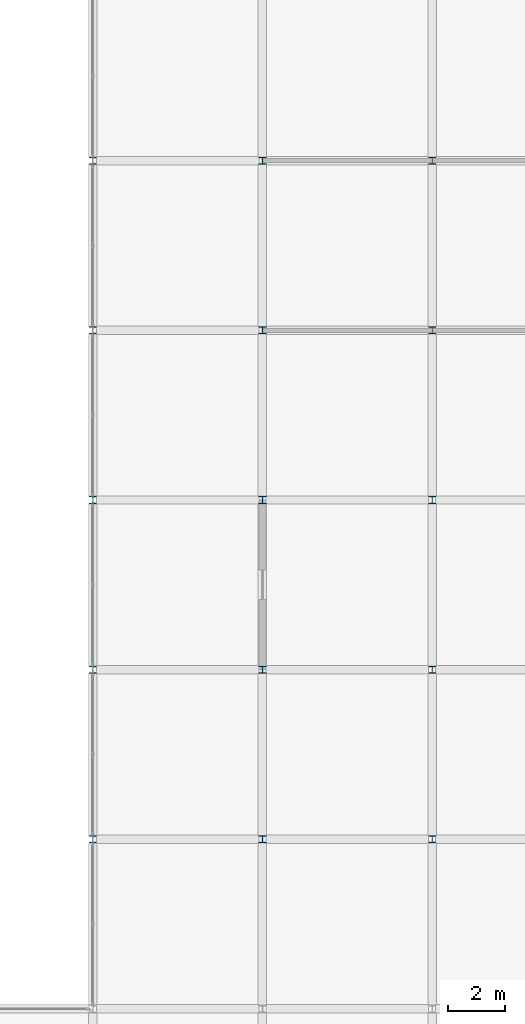
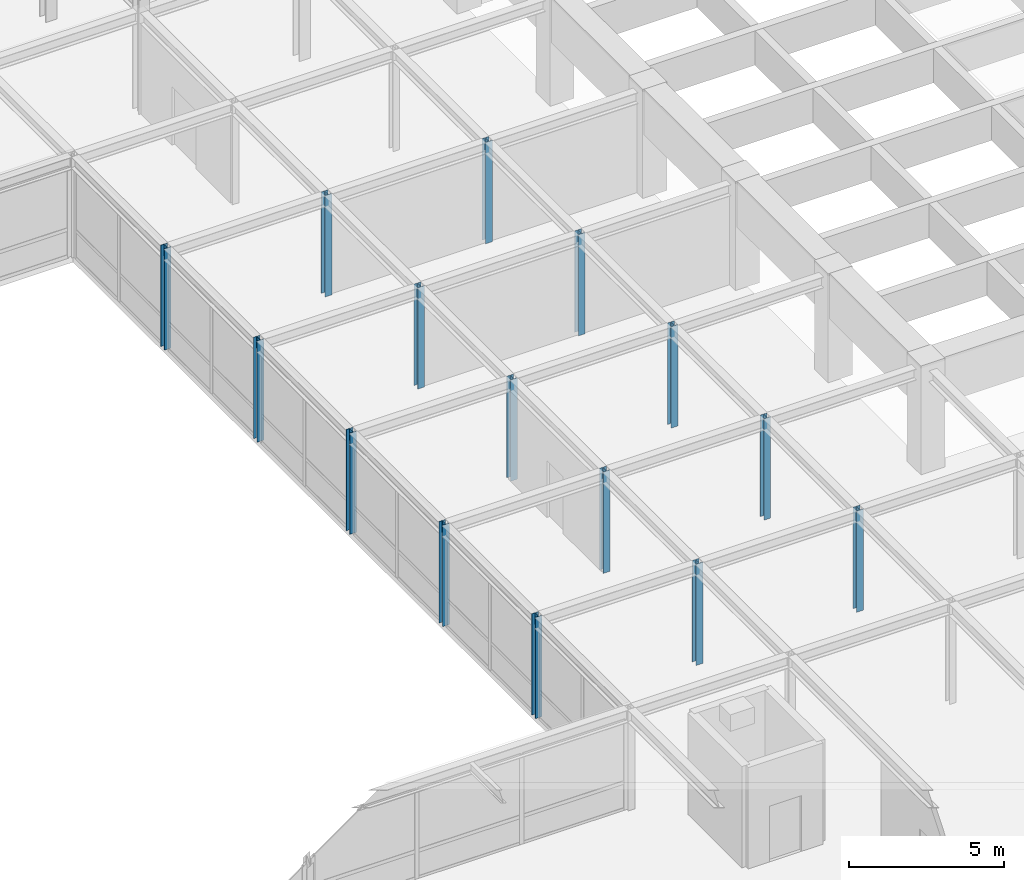
# One storey, part 6 of 111: 15 columns.
"""IFC4 building model written with IfcOpenShell, lengths in metres."""

from ifc_helpers import new_model, si_unit, direction, frame, origin, origin_2d, place, context, subcontext, project, spatial, i_section, extrude, material, material_profile, profile_set, type_object, element, save


model = new_model("IFC4")

# Units and contexts
model_context = context("Model", 3, precision=1e-05, world=origin(), true_north=direction((0.0, 1.0)))
body_context = subcontext(model_context, "Body", "Model", "MODEL_VIEW")
ifc_project = project(units=[si_unit("LENGTHUNIT", "METRE"), si_unit("AREAUNIT", "SQUARE_METRE"), si_unit("VOLUMEUNIT", "CUBIC_METRE"), si_unit("PLANEANGLEUNIT", "RADIAN"), si_unit("MASSUNIT", "GRAM", prefix="KILO")], contexts=[model_context])

# Site, building, storey
site_placement = place(None, origin())
site = spatial("IfcSite", under=ifc_project, at=site_placement, CompositionType="ELEMENT")
building_placement = place(site_placement, origin())
building = spatial("IfcBuilding", under=site, at=building_placement, Name="Zlatovratsky Civic Hall", CompositionType="ELEMENT")
storey_placement = place(building_placement, frame((0.0, 0.0, 16.5)))
storey = spatial("IfcBuildingStorey", under=building, at=storey_placement, Name="L04", CompositionType="ELEMENT", Elevation=16.5)

# Columns
ifc_material = material(Name="Steel S355", Category="steel")
ifc_material_profile = material_profile(ifc_material, i_section(OverallWidth=0.25, OverallDepth=0.25, WebThickness=0.009033203125, FlangeThickness=0.013916015625, FilletRadius=0.01611328125, at=origin_2d()), Name="25K2")
ifc_profile_set = profile_set([ifc_material_profile], Name="Steel S355")
column_type = type_object("IfcColumnType", Name="Col_Steel_25K2", PredefinedType="COLUMN", material=ifc_profile_set)
for number, where, z_axis, x_axis, name in (
    (1, (48.0, 36.0, 0.0), (0.0, 0.0, 1.0), (1.0, 0.0, 0.0), "CL-1634"),
    (2, (54.0, 36.0, 0.0), (0.0, 0.0, 1.0), (1.0, 0.0, 0.0), "CL-1635"),
    (3, (60.0, 36.0, 0.0), (0.0, 0.0, 1.0), (1.0, 0.0, 0.0), "CL-1636"),
    (4, (48.0, 42.0, 0.0), (0.0, 0.0, 1.0), (1.0, 0.0, 0.0), "CL-1653"),
    (5, (54.0, 42.0, 0.0), (0.0, 0.0, 1.0), (1.0, 0.0, 0.0), "CL-1654"),
    (6, (60.0, 42.0, 0.0), (0.0, 0.0, 1.0), (1.0, 0.0, 0.0), "CL-1655"),
    (7, (48.0, 48.0, 0.0), (0.0, 0.0, 1.0), (1.0, 0.0, 0.0), "CL-1672"),
    (8, (54.0, 48.0, 0.0), (0.0, 0.0, 1.0), (1.0, 0.0, 0.0), "CL-1673"),
    (9, (60.0, 48.0, 0.0), (0.0, 0.0, 1.0), (1.0, 0.0, 0.0), "CL-1674"),
    (10, (48.0, 54.0, 0.0), (0.0, 0.0, 1.0), (1.0, 0.0, 0.0), "CL-1686"),
    (11, (54.0, 54.0, 0.0), (0.0, 0.0, 1.0), (1.0, 0.0, 0.0), "CL-1687"),
    (12, (60.0, 54.0, 0.0), (0.0, 0.0, 1.0), (1.0, 0.0, 0.0), "CL-1688"),
    (13, (48.0, 60.0, 0.0), (0.0, 0.0, 1.0), (1.0, 0.0, 0.0), "CL-1700"),
    (14, (54.0, 60.0, 0.0), (0.0, 0.0, 1.0), (1.0, 0.0, 0.0), "CL-1701"),
    (15, (60.0, 60.0, 0.0), (0.0, 0.0, 1.0), (1.0, 0.0, 0.0), "CL-1702"),
):
    element("IfcColumn", number, at=place(storey_placement, frame(where, z_axis=z_axis, x_axis=x_axis)), inside=storey, type_object=column_type, Name=name, PredefinedType="COLUMN", context=body_context, shape_type="SweptSolid", body=[
        extrude(i_section(OverallWidth=0.25, OverallDepth=0.25, WebThickness=0.009033203125, FlangeThickness=0.013916015625, FilletRadius=0.01611328125, at=origin_2d()), origin(), (0.0, 0.0, 1.0), 4.0),
    ])

save(model, "model.ifc")
